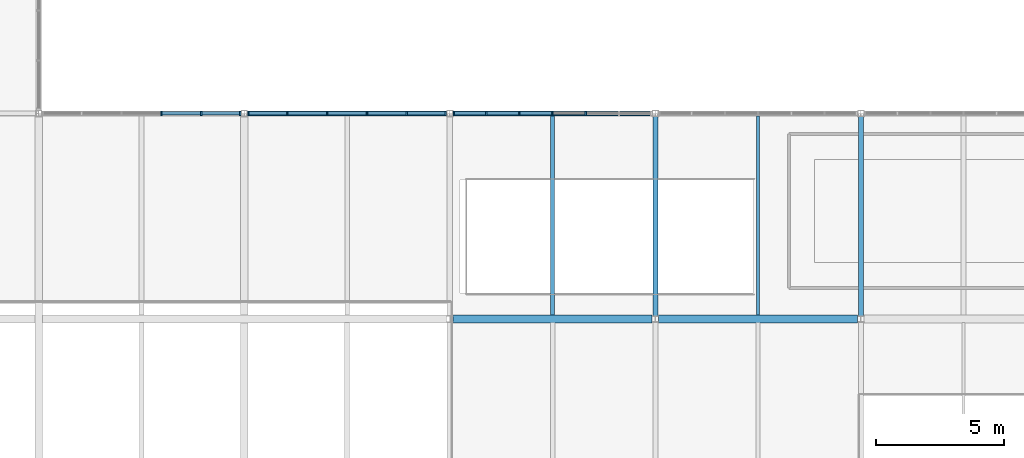
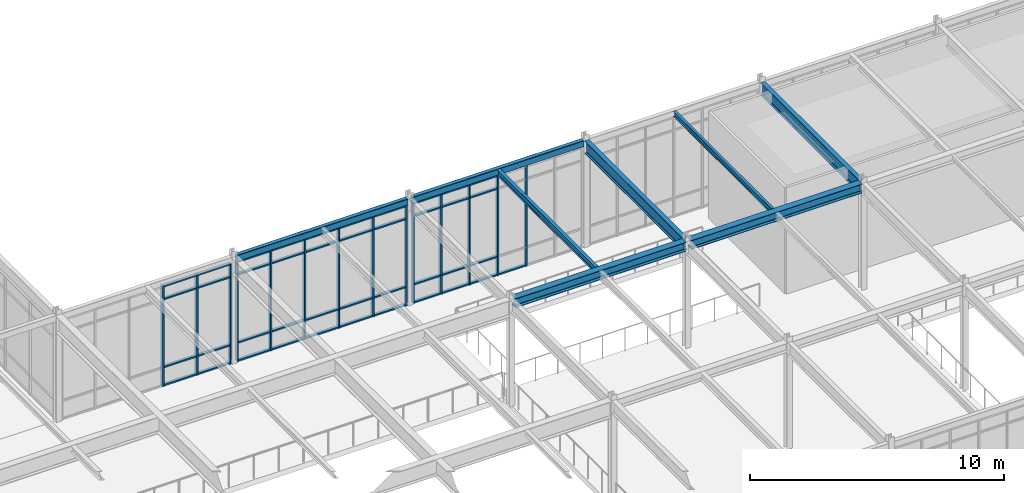
# One storey, part 49 of 184: 55 members, 8 beams, 3 elements without a shape of their own.
"""IFC4 building model written with IfcOpenShell, lengths in metres."""

from ifc_helpers import new_model, si_unit, direction, frame, origin, origin_2d, place, context, subcontext, project, spatial, rectangle, hollow_rectangle, i_section, extrude, material, material_profile, profile_set, type_object, element, aggregate, save


model = new_model("IFC4")

# Units and contexts
model_context = context("Model", 3, precision=1e-05, world=origin(), true_north=direction((0.0, 1.0)))
body_context = subcontext(model_context, "Body", "Model", "MODEL_VIEW")
ifc_project = project(units=[si_unit("LENGTHUNIT", "METRE"), si_unit("AREAUNIT", "SQUARE_METRE"), si_unit("VOLUMEUNIT", "CUBIC_METRE"), si_unit("PLANEANGLEUNIT", "RADIAN"), si_unit("MASSUNIT", "GRAM", prefix="KILO")], contexts=[model_context])

# Site, building, storey
site_placement = place(None, origin())
site = spatial("IfcSite", under=ifc_project, at=site_placement, CompositionType="ELEMENT")
building_placement = place(site_placement, origin())
building = spatial("IfcBuilding", under=site, at=building_placement, Name="Zhaolan Boulevard Law Courts", CompositionType="ELEMENT")
storey_placement = place(building_placement, frame((0.0, 0.0, 5.39990234375)))
storey = spatial("IfcBuildingStorey", under=building, at=storey_placement, Name="L01", CompositionType="ELEMENT", Elevation=5.39990234375)

# Curtain wall, members
ifc_material_1 = material(Name="Thermally broken aluminium and low-E glazing", Category="aluminium")
curtain_wall_type_1 = type_object("IfcCurtainWallType", Name="CURTAIN WALL M1", PredefinedType="USERDEFINED", material=ifc_material_1)
curtain_wall_1_placement = place(storey_placement, origin())
curtain_wall_1 = element("IfcCurtainWall", 1, at=curtain_wall_1_placement, inside=storey, type_object=curtain_wall_type_1, Name="Curtain Wall CW-L01-049", ObjectType="CURTAIN WALL", PredefinedType="USERDEFINED")
ifc_material_2 = material(Name="Fluorocarbon-coated aluminium 6063-T6", Category="aluminium")
ifc_material_profile_1 = material_profile(ifc_material_2, rectangle(XDim=0.179931640625, YDim=0.06494140625, at=origin_2d()), Name="AL65x180")
ifc_profile_set_1 = profile_set([ifc_material_profile_1], Name="Fluorocarbon-coated aluminium 6063-T6")
member_type_1 = type_object("IfcMemberType", Name="CWMULLION 65X180", PredefinedType="MULLION", material=ifc_profile_set_1)
member_1_placement = place(storey_placement, frame((67.840576171875, 30.0, 0.0), z_axis=(0.0, 0.0, 1.0), x_axis=(0.0, -1.0, 0.0)))
member_1 = element("IfcMember", 2, at=member_1_placement, type_object=member_type_1, Name="CW-L01-049 mullion 1", PredefinedType="MULLION", context=body_context, shape_type="SweptSolid", body=[
    extrude(rectangle(XDim=0.179931640625, YDim=0.06494140625, at=origin_2d()), origin(), (0.0, 0.0, 1.0), 4.822998046875),
])
member_2_placement = place(storey_placement, frame((66.32373046875, 30.0, 0.0), z_axis=(0.0, 0.0, 1.0), x_axis=(0.0, -1.0, 0.0)))
member_2 = element("IfcMember", 3, at=member_2_placement, type_object=member_type_1, Name="CW-L01-049 mullion 2", PredefinedType="MULLION", context=body_context, shape_type="SweptSolid", body=[
    extrude(rectangle(XDim=0.179931640625, YDim=0.06494140625, at=origin_2d()), origin(), (0.0, 0.0, 1.0), 4.822998046875),
])
member_3_placement = place(storey_placement, frame((64.774658203125, 30.0, 0.0), z_axis=(0.0, 0.0, 1.0), x_axis=(0.0, -1.0, 0.0)))
member_3 = element("IfcMember", 4, at=member_3_placement, type_object=member_type_1, Name="CW-L01-049 mullion 3", PredefinedType="MULLION", context=body_context, shape_type="SweptSolid", body=[
    extrude(rectangle(XDim=0.179931640625, YDim=0.06494140625, at=origin_2d()), origin(), (0.0, 0.0, 1.0), 4.822998046875),
])

ifc_material_3 = material(Name="Thermally broken aluminium and low-E glazing", Category="aluminium")
curtain_wall_type_2 = type_object("IfcCurtainWallType", Name="CURTAIN WALL M2", PredefinedType="USERDEFINED", material=ifc_material_3)
curtain_wall_2_placement = place(storey_placement, origin())
curtain_wall_2 = element("IfcCurtainWall", 5, at=curtain_wall_2_placement, inside=storey, type_object=curtain_wall_type_2, Name="Curtain Wall CW-L01-050", ObjectType="CURTAIN WALL", PredefinedType="USERDEFINED")
member_4_placement = place(storey_placement, frame((75.840576171875, 30.0, 0.0), z_axis=(0.0, 0.0, 1.0), x_axis=(0.0, -1.0, 0.0)))
member_4 = element("IfcMember", 6, at=member_4_placement, type_object=member_type_1, Name="CW-L01-050 mullion 1", PredefinedType="MULLION", context=body_context, shape_type="SweptSolid", body=[
    extrude(rectangle(XDim=0.179931640625, YDim=0.06494140625, at=origin_2d()), origin(), (0.0, 0.0, 1.0), 4.822998046875),
])
member_5_placement = place(storey_placement, frame((74.32373046875, 30.0, 0.0), z_axis=(0.0, 0.0, 1.0), x_axis=(0.0, -1.0, 0.0)))
member_5 = element("IfcMember", 7, at=member_5_placement, type_object=member_type_1, Name="CW-L01-050 mullion 2", PredefinedType="MULLION", context=body_context, shape_type="SweptSolid", body=[
    extrude(rectangle(XDim=0.179931640625, YDim=0.06494140625, at=origin_2d()), origin(), (0.0, 0.0, 1.0), 4.822998046875),
])
member_6_placement = place(storey_placement, frame((72.774658203125, 30.0, 0.0), z_axis=(0.0, 0.0, 1.0), x_axis=(0.0, -1.0, 0.0)))
member_6 = element("IfcMember", 8, at=member_6_placement, type_object=member_type_1, Name="CW-L01-050 mullion 3", PredefinedType="MULLION", context=body_context, shape_type="SweptSolid", body=[
    extrude(rectangle(XDim=0.179931640625, YDim=0.06494140625, at=origin_2d()), origin(), (0.0, 0.0, 1.0), 4.822998046875),
])
member_7_placement = place(storey_placement, frame((71.225341796875, 30.0, 0.0), z_axis=(0.0, 0.0, 1.0), x_axis=(0.0, -1.0, 0.0)))
member_7 = element("IfcMember", 9, at=member_7_placement, type_object=member_type_1, Name="CW-L01-050 mullion 4", PredefinedType="MULLION", context=body_context, shape_type="SweptSolid", body=[
    extrude(rectangle(XDim=0.179931640625, YDim=0.06494140625, at=origin_2d()), origin(), (0.0, 0.0, 1.0), 4.822998046875),
])
member_8_placement = place(storey_placement, frame((69.67626953125, 30.0, 0.0), z_axis=(0.0, 0.0, 1.0), x_axis=(0.0, -1.0, 0.0)))
member_8 = element("IfcMember", 10, at=member_8_placement, type_object=member_type_1, Name="CW-L01-050 mullion 5", PredefinedType="MULLION", context=body_context, shape_type="SweptSolid", body=[
    extrude(rectangle(XDim=0.179931640625, YDim=0.06494140625, at=origin_2d()), origin(), (0.0, 0.0, 1.0), 4.822998046875),
])
member_9_placement = place(storey_placement, frame((68.159423828125, 30.0, 0.0), z_axis=(0.0, 0.0, 1.0), x_axis=(0.0, -1.0, 0.0)))
member_9 = element("IfcMember", 11, at=member_9_placement, type_object=member_type_1, Name="CW-L01-050 mullion 6", PredefinedType="MULLION", context=body_context, shape_type="SweptSolid", body=[
    extrude(rectangle(XDim=0.179931640625, YDim=0.06494140625, at=origin_2d()), origin(), (0.0, 0.0, 1.0), 4.822998046875),
])

ifc_material_4 = material(Name="Thermally broken aluminium and low-E glazing", Category="aluminium")
curtain_wall_type_3 = type_object("IfcCurtainWallType", Name="CURTAIN WALL M3", PredefinedType="USERDEFINED", material=ifc_material_4)
curtain_wall_3_placement = place(storey_placement, origin())
curtain_wall_3 = element("IfcCurtainWall", 12, at=curtain_wall_3_placement, inside=storey, type_object=curtain_wall_type_3, Name="Curtain Wall CW-L01-051", ObjectType="CURTAIN WALL", PredefinedType="USERDEFINED")
member_10_placement = place(storey_placement, frame((81.291015625, 30.0, 0.0), z_axis=(0.0, 0.0, 1.0), x_axis=(0.0, -1.0, 0.0)))
member_10 = element("IfcMember", 13, at=member_10_placement, type_object=member_type_1, Name="CW-L01-051 mullion 3", PredefinedType="MULLION", context=body_context, shape_type="SweptSolid", body=[
    extrude(rectangle(XDim=0.179931640625, YDim=0.06494140625, at=origin_2d()), origin(), (0.0, 0.0, 1.0), 4.822998046875),
])
member_11_placement = place(storey_placement, frame((80.0, 30.0, 0.0), z_axis=(0.0, 0.0, 1.0), x_axis=(0.0, -1.0, 0.0)))
member_11 = element("IfcMember", 14, at=member_11_placement, type_object=member_type_1, Name="CW-L01-051 mullion 4", PredefinedType="MULLION", context=body_context, shape_type="SweptSolid", body=[
    extrude(rectangle(XDim=0.179931640625, YDim=0.06494140625, at=origin_2d()), origin(), (0.0, 0.0, 1.0), 4.822998046875),
])
member_12_placement = place(storey_placement, frame((78.708984375, 30.0, 0.0), z_axis=(0.0, 0.0, 1.0), x_axis=(0.0, -1.0, 0.0)))
member_12 = element("IfcMember", 15, at=member_12_placement, type_object=member_type_1, Name="CW-L01-051 mullion 5", PredefinedType="MULLION", context=body_context, shape_type="SweptSolid", body=[
    extrude(rectangle(XDim=0.179931640625, YDim=0.06494140625, at=origin_2d()), origin(), (0.0, 0.0, 1.0), 4.822998046875),
])
member_13_placement = place(storey_placement, frame((77.41796875, 30.0, 0.0), z_axis=(0.0, 0.0, 1.0), x_axis=(0.0, -1.0, 0.0)))
member_13 = element("IfcMember", 16, at=member_13_placement, type_object=member_type_1, Name="CW-L01-051 mullion 6", PredefinedType="MULLION", context=body_context, shape_type="SweptSolid", body=[
    extrude(rectangle(XDim=0.179931640625, YDim=0.06494140625, at=origin_2d()), origin(), (0.0, 0.0, 1.0), 4.822998046875),
])
member_14_placement = place(storey_placement, frame((76.159423828125, 30.0, 0.0), z_axis=(0.0, 0.0, 1.0), x_axis=(0.0, -1.0, 0.0)))
member_14 = element("IfcMember", 17, at=member_14_placement, type_object=member_type_1, Name="CW-L01-051 mullion 7", PredefinedType="MULLION", context=body_context, shape_type="SweptSolid", body=[
    extrude(rectangle(XDim=0.179931640625, YDim=0.06494140625, at=origin_2d()), origin(), (0.0, 0.0, 1.0), 4.822998046875),
])

# Member
ifc_material_5 = material(Name="Fluorocarbon-coated aluminium 6063-T6", Category="aluminium")
ifc_material_profile_2 = material_profile(ifc_material_5, rectangle(XDim=0.139892578125, YDim=0.06494140625, at=origin_2d()), Name="AL65x140")
ifc_profile_set_2 = profile_set([ifc_material_profile_2], Name="Fluorocarbon-coated aluminium 6063-T6")
member_type_2 = type_object("IfcMemberType", Name="CWTRANSOM 65X140", PredefinedType="USERDEFINED", material=ifc_profile_set_2)
member_15_placement = place(storey_placement, frame((67.80810546875, 30.0, 0.03271484375), z_axis=(-1.0, 0.0, 0.0), x_axis=(0.0, -1.0, 0.0)))
member_15 = element("IfcMember", 18, at=member_15_placement, type_object=member_type_2, Name="CW-L01-049 transom 1.1", ObjectType="TRANSOM", PredefinedType="USERDEFINED", context=body_context, shape_type="SweptSolid", body=[
    extrude(rectangle(XDim=0.139892578125, YDim=0.06494140625, at=origin_2d()), origin(), (0.0, 0.0, 1.0), 1.451904296875),
])

member_16_placement = place(storey_placement, frame((67.80810546875, 30.0, 0.900146484375), z_axis=(-1.0, 0.0, 0.0), x_axis=(0.0, -1.0, 0.0)))
member_16 = element("IfcMember", 19, at=member_16_placement, type_object=member_type_2, Name="CW-L01-049 transom 1.2", ObjectType="TRANSOM", PredefinedType="USERDEFINED", context=body_context, shape_type="SweptSolid", body=[
    extrude(rectangle(XDim=0.139892578125, YDim=0.06494140625, at=origin_2d()), origin(), (0.0, 0.0, 1.0), 1.451904296875),
])

member_17_placement = place(storey_placement, frame((67.80810546875, 30.0, 4.173095703125), z_axis=(-1.0, 0.0, 0.0), x_axis=(0.0, -1.0, 0.0)))
member_17 = element("IfcMember", 20, at=member_17_placement, type_object=member_type_2, Name="CW-L01-049 transom 1.3", ObjectType="TRANSOM", PredefinedType="USERDEFINED", context=body_context, shape_type="SweptSolid", body=[
    extrude(rectangle(XDim=0.139892578125, YDim=0.06494140625, at=origin_2d()), origin(), (0.0, 0.0, 1.0), 1.451904296875),
])

member_18_placement = place(storey_placement, frame((67.80810546875, 30.0, 4.79052734375), z_axis=(-1.0, 0.0, 0.0), x_axis=(0.0, -1.0, 0.0)))
member_18 = element("IfcMember", 21, at=member_18_placement, type_object=member_type_2, Name="CW-L01-049 transom 1.4", ObjectType="TRANSOM", PredefinedType="USERDEFINED", context=body_context, shape_type="SweptSolid", body=[
    extrude(rectangle(XDim=0.139892578125, YDim=0.06494140625, at=origin_2d()), origin(), (0.0, 0.0, 1.0), 1.451904296875),
])

member_19_placement = place(storey_placement, frame((66.291259765625, 30.0, 0.03271484375), z_axis=(-1.0, 0.0, 0.0), x_axis=(0.0, -1.0, 0.0)))
member_19 = element("IfcMember", 22, at=member_19_placement, type_object=member_type_2, Name="CW-L01-049 transom 2.1", ObjectType="TRANSOM", PredefinedType="USERDEFINED", context=body_context, shape_type="SweptSolid", body=[
    extrude(rectangle(XDim=0.139892578125, YDim=0.06494140625, at=origin_2d()), origin(), (0.0, 0.0, 1.0), 1.484130859375),
])

member_20_placement = place(storey_placement, frame((66.291259765625, 30.0, 0.900146484375), z_axis=(-1.0, 0.0, 0.0), x_axis=(0.0, -1.0, 0.0)))
member_20 = element("IfcMember", 23, at=member_20_placement, type_object=member_type_2, Name="CW-L01-049 transom 2.2", ObjectType="TRANSOM", PredefinedType="USERDEFINED", context=body_context, shape_type="SweptSolid", body=[
    extrude(rectangle(XDim=0.139892578125, YDim=0.06494140625, at=origin_2d()), origin(), (0.0, 0.0, 1.0), 1.484130859375),
])

member_21_placement = place(storey_placement, frame((66.291259765625, 30.0, 4.173095703125), z_axis=(-1.0, 0.0, 0.0), x_axis=(0.0, -1.0, 0.0)))
member_21 = element("IfcMember", 24, at=member_21_placement, type_object=member_type_2, Name="CW-L01-049 transom 2.3", ObjectType="TRANSOM", PredefinedType="USERDEFINED", context=body_context, shape_type="SweptSolid", body=[
    extrude(rectangle(XDim=0.139892578125, YDim=0.06494140625, at=origin_2d()), origin(), (0.0, 0.0, 1.0), 1.484130859375),
])

member_22_placement = place(storey_placement, frame((66.291259765625, 30.0, 4.79052734375), z_axis=(-1.0, 0.0, 0.0), x_axis=(0.0, -1.0, 0.0)))
member_22 = element("IfcMember", 25, at=member_22_placement, type_object=member_type_2, Name="CW-L01-049 transom 2.4", ObjectType="TRANSOM", PredefinedType="USERDEFINED", context=body_context, shape_type="SweptSolid", body=[
    extrude(rectangle(XDim=0.139892578125, YDim=0.06494140625, at=origin_2d()), origin(), (0.0, 0.0, 1.0), 1.484130859375),
])

aggregate(curtain_wall_1, [member_1, member_2, member_3, member_15, member_16, member_17, member_18, member_19, member_20, member_21, member_22])

member_23_placement = place(storey_placement, frame((75.80810546875, 30.0, 0.03271484375), z_axis=(-1.0, 0.0, 0.0), x_axis=(0.0, -1.0, 0.0)))
member_23 = element("IfcMember", 26, at=member_23_placement, type_object=member_type_2, Name="CW-L01-050 transom 1.1", ObjectType="TRANSOM", PredefinedType="USERDEFINED", context=body_context, shape_type="SweptSolid", body=[
    extrude(rectangle(XDim=0.139892578125, YDim=0.06494140625, at=origin_2d()), origin(), (0.0, 0.0, 1.0), 1.451904296875),
])

member_24_placement = place(storey_placement, frame((75.80810546875, 30.0, 0.900146484375), z_axis=(-1.0, 0.0, 0.0), x_axis=(0.0, -1.0, 0.0)))
member_24 = element("IfcMember", 27, at=member_24_placement, type_object=member_type_2, Name="CW-L01-050 transom 1.2", ObjectType="TRANSOM", PredefinedType="USERDEFINED", context=body_context, shape_type="SweptSolid", body=[
    extrude(rectangle(XDim=0.139892578125, YDim=0.06494140625, at=origin_2d()), origin(), (0.0, 0.0, 1.0), 1.451904296875),
])

member_25_placement = place(storey_placement, frame((75.80810546875, 30.0, 4.173095703125), z_axis=(-1.0, 0.0, 0.0), x_axis=(0.0, -1.0, 0.0)))
member_25 = element("IfcMember", 28, at=member_25_placement, type_object=member_type_2, Name="CW-L01-050 transom 1.3", ObjectType="TRANSOM", PredefinedType="USERDEFINED", context=body_context, shape_type="SweptSolid", body=[
    extrude(rectangle(XDim=0.139892578125, YDim=0.06494140625, at=origin_2d()), origin(), (0.0, 0.0, 1.0), 1.451904296875),
])

member_26_placement = place(storey_placement, frame((75.80810546875, 30.0, 4.79052734375), z_axis=(-1.0, 0.0, 0.0), x_axis=(0.0, -1.0, 0.0)))
member_26 = element("IfcMember", 29, at=member_26_placement, type_object=member_type_2, Name="CW-L01-050 transom 1.4", ObjectType="TRANSOM", PredefinedType="USERDEFINED", context=body_context, shape_type="SweptSolid", body=[
    extrude(rectangle(XDim=0.139892578125, YDim=0.06494140625, at=origin_2d()), origin(), (0.0, 0.0, 1.0), 1.451904296875),
])

member_27_placement = place(storey_placement, frame((74.291259765625, 30.0, 0.03271484375), z_axis=(-1.0, 0.0, 0.0), x_axis=(0.0, -1.0, 0.0)))
member_27 = element("IfcMember", 30, at=member_27_placement, type_object=member_type_2, Name="CW-L01-050 transom 2.1", ObjectType="TRANSOM", PredefinedType="USERDEFINED", context=body_context, shape_type="SweptSolid", body=[
    extrude(rectangle(XDim=0.139892578125, YDim=0.06494140625, at=origin_2d()), origin(), (0.0, 0.0, 1.0), 1.484130859375),
])

member_28_placement = place(storey_placement, frame((74.291259765625, 30.0, 0.900146484375), z_axis=(-1.0, 0.0, 0.0), x_axis=(0.0, -1.0, 0.0)))
member_28 = element("IfcMember", 31, at=member_28_placement, type_object=member_type_2, Name="CW-L01-050 transom 2.2", ObjectType="TRANSOM", PredefinedType="USERDEFINED", context=body_context, shape_type="SweptSolid", body=[
    extrude(rectangle(XDim=0.139892578125, YDim=0.06494140625, at=origin_2d()), origin(), (0.0, 0.0, 1.0), 1.484130859375),
])

member_29_placement = place(storey_placement, frame((74.291259765625, 30.0, 4.173095703125), z_axis=(-1.0, 0.0, 0.0), x_axis=(0.0, -1.0, 0.0)))
member_29 = element("IfcMember", 32, at=member_29_placement, type_object=member_type_2, Name="CW-L01-050 transom 2.3", ObjectType="TRANSOM", PredefinedType="USERDEFINED", context=body_context, shape_type="SweptSolid", body=[
    extrude(rectangle(XDim=0.139892578125, YDim=0.06494140625, at=origin_2d()), origin(), (0.0, 0.0, 1.0), 1.484130859375),
])

member_30_placement = place(storey_placement, frame((74.291259765625, 30.0, 4.79052734375), z_axis=(-1.0, 0.0, 0.0), x_axis=(0.0, -1.0, 0.0)))
member_30 = element("IfcMember", 33, at=member_30_placement, type_object=member_type_2, Name="CW-L01-050 transom 2.4", ObjectType="TRANSOM", PredefinedType="USERDEFINED", context=body_context, shape_type="SweptSolid", body=[
    extrude(rectangle(XDim=0.139892578125, YDim=0.06494140625, at=origin_2d()), origin(), (0.0, 0.0, 1.0), 1.484130859375),
])

member_31_placement = place(storey_placement, frame((72.7421875, 30.0, 0.03271484375), z_axis=(-1.0, 0.0, 0.0), x_axis=(0.0, -1.0, 0.0)))
member_31 = element("IfcMember", 34, at=member_31_placement, type_object=member_type_2, Name="CW-L01-050 transom 3.1", ObjectType="TRANSOM", PredefinedType="USERDEFINED", context=body_context, shape_type="SweptSolid", body=[
    extrude(rectangle(XDim=0.139892578125, YDim=0.06494140625, at=origin_2d()), origin(), (0.0, 0.0, 1.0), 1.484375),
])

member_32_placement = place(storey_placement, frame((72.7421875, 30.0, 0.900146484375), z_axis=(-1.0, 0.0, 0.0), x_axis=(0.0, -1.0, 0.0)))
member_32 = element("IfcMember", 35, at=member_32_placement, type_object=member_type_2, Name="CW-L01-050 transom 3.2", ObjectType="TRANSOM", PredefinedType="USERDEFINED", context=body_context, shape_type="SweptSolid", body=[
    extrude(rectangle(XDim=0.139892578125, YDim=0.06494140625, at=origin_2d()), origin(), (0.0, 0.0, 1.0), 1.484375),
])

member_33_placement = place(storey_placement, frame((72.7421875, 30.0, 4.173095703125), z_axis=(-1.0, 0.0, 0.0), x_axis=(0.0, -1.0, 0.0)))
member_33 = element("IfcMember", 36, at=member_33_placement, type_object=member_type_2, Name="CW-L01-050 transom 3.3", ObjectType="TRANSOM", PredefinedType="USERDEFINED", context=body_context, shape_type="SweptSolid", body=[
    extrude(rectangle(XDim=0.139892578125, YDim=0.06494140625, at=origin_2d()), origin(), (0.0, 0.0, 1.0), 1.484375),
])

member_34_placement = place(storey_placement, frame((72.7421875, 30.0, 4.79052734375), z_axis=(-1.0, 0.0, 0.0), x_axis=(0.0, -1.0, 0.0)))
member_34 = element("IfcMember", 37, at=member_34_placement, type_object=member_type_2, Name="CW-L01-050 transom 3.4", ObjectType="TRANSOM", PredefinedType="USERDEFINED", context=body_context, shape_type="SweptSolid", body=[
    extrude(rectangle(XDim=0.139892578125, YDim=0.06494140625, at=origin_2d()), origin(), (0.0, 0.0, 1.0), 1.484375),
])

member_35_placement = place(storey_placement, frame((71.19287109375, 30.0, 0.03271484375), z_axis=(-1.0, 0.0, 0.0), x_axis=(0.0, -1.0, 0.0)))
member_35 = element("IfcMember", 38, at=member_35_placement, type_object=member_type_2, Name="CW-L01-050 transom 4.1", ObjectType="TRANSOM", PredefinedType="USERDEFINED", context=body_context, shape_type="SweptSolid", body=[
    extrude(rectangle(XDim=0.139892578125, YDim=0.06494140625, at=origin_2d()), origin(), (0.0, 0.0, 1.0), 1.484130859375),
])

member_36_placement = place(storey_placement, frame((71.19287109375, 30.0, 0.900146484375), z_axis=(-1.0, 0.0, 0.0), x_axis=(0.0, -1.0, 0.0)))
member_36 = element("IfcMember", 39, at=member_36_placement, type_object=member_type_2, Name="CW-L01-050 transom 4.2", ObjectType="TRANSOM", PredefinedType="USERDEFINED", context=body_context, shape_type="SweptSolid", body=[
    extrude(rectangle(XDim=0.139892578125, YDim=0.06494140625, at=origin_2d()), origin(), (0.0, 0.0, 1.0), 1.484130859375),
])

member_37_placement = place(storey_placement, frame((71.19287109375, 30.0, 4.173095703125), z_axis=(-1.0, 0.0, 0.0), x_axis=(0.0, -1.0, 0.0)))
member_37 = element("IfcMember", 40, at=member_37_placement, type_object=member_type_2, Name="CW-L01-050 transom 4.3", ObjectType="TRANSOM", PredefinedType="USERDEFINED", context=body_context, shape_type="SweptSolid", body=[
    extrude(rectangle(XDim=0.139892578125, YDim=0.06494140625, at=origin_2d()), origin(), (0.0, 0.0, 1.0), 1.484130859375),
])

member_38_placement = place(storey_placement, frame((71.19287109375, 30.0, 4.79052734375), z_axis=(-1.0, 0.0, 0.0), x_axis=(0.0, -1.0, 0.0)))
member_38 = element("IfcMember", 41, at=member_38_placement, type_object=member_type_2, Name="CW-L01-050 transom 4.4", ObjectType="TRANSOM", PredefinedType="USERDEFINED", context=body_context, shape_type="SweptSolid", body=[
    extrude(rectangle(XDim=0.139892578125, YDim=0.06494140625, at=origin_2d()), origin(), (0.0, 0.0, 1.0), 1.484130859375),
])

member_39_placement = place(storey_placement, frame((69.643798828125, 30.0, 0.03271484375), z_axis=(-1.0, 0.0, 0.0), x_axis=(0.0, -1.0, 0.0)))
member_39 = element("IfcMember", 42, at=member_39_placement, type_object=member_type_2, Name="CW-L01-050 transom 5.1", ObjectType="TRANSOM", PredefinedType="USERDEFINED", context=body_context, shape_type="SweptSolid", body=[
    extrude(rectangle(XDim=0.139892578125, YDim=0.06494140625, at=origin_2d()), origin(), (0.0, 0.0, 1.0), 1.451904296875),
])

member_40_placement = place(storey_placement, frame((69.643798828125, 30.0, 0.900146484375), z_axis=(-1.0, 0.0, 0.0), x_axis=(0.0, -1.0, 0.0)))
member_40 = element("IfcMember", 43, at=member_40_placement, type_object=member_type_2, Name="CW-L01-050 transom 5.2", ObjectType="TRANSOM", PredefinedType="USERDEFINED", context=body_context, shape_type="SweptSolid", body=[
    extrude(rectangle(XDim=0.139892578125, YDim=0.06494140625, at=origin_2d()), origin(), (0.0, 0.0, 1.0), 1.451904296875),
])

member_41_placement = place(storey_placement, frame((69.643798828125, 30.0, 4.173095703125), z_axis=(-1.0, 0.0, 0.0), x_axis=(0.0, -1.0, 0.0)))
member_41 = element("IfcMember", 44, at=member_41_placement, type_object=member_type_2, Name="CW-L01-050 transom 5.3", ObjectType="TRANSOM", PredefinedType="USERDEFINED", context=body_context, shape_type="SweptSolid", body=[
    extrude(rectangle(XDim=0.139892578125, YDim=0.06494140625, at=origin_2d()), origin(), (0.0, 0.0, 1.0), 1.451904296875),
])

member_42_placement = place(storey_placement, frame((69.643798828125, 30.0, 4.79052734375), z_axis=(-1.0, 0.0, 0.0), x_axis=(0.0, -1.0, 0.0)))
member_42 = element("IfcMember", 45, at=member_42_placement, type_object=member_type_2, Name="CW-L01-050 transom 5.4", ObjectType="TRANSOM", PredefinedType="USERDEFINED", context=body_context, shape_type="SweptSolid", body=[
    extrude(rectangle(XDim=0.139892578125, YDim=0.06494140625, at=origin_2d()), origin(), (0.0, 0.0, 1.0), 1.451904296875),
])

aggregate(curtain_wall_2, [member_4, member_5, member_6, member_7, member_8, member_9, member_23, member_24, member_25, member_26, member_27, member_28, member_29, member_30, member_31, member_32, member_33, member_34, member_35, member_36, member_37, member_38, member_39, member_40, member_41, member_42])

member_43_placement = place(storey_placement, frame((81.258544921875, 30.0, 0.03271484375), z_axis=(-1.0, 0.0, 0.0), x_axis=(0.0, -1.0, 0.0)))
member_43 = element("IfcMember", 46, at=member_43_placement, type_object=member_type_2, Name="CW-L01-051 transom 3.1", ObjectType="TRANSOM", PredefinedType="USERDEFINED", context=body_context, shape_type="SweptSolid", body=[
    extrude(rectangle(XDim=0.139892578125, YDim=0.06494140625, at=origin_2d()), origin(), (0.0, 0.0, 1.0), 1.22607421875),
])

member_44_placement = place(storey_placement, frame((79.967529296875, 30.0, 0.03271484375), z_axis=(-1.0, 0.0, 0.0), x_axis=(0.0, -1.0, 0.0)))
member_44 = element("IfcMember", 47, at=member_44_placement, type_object=member_type_2, Name="CW-L01-051 transom 4.1", ObjectType="TRANSOM", PredefinedType="USERDEFINED", context=body_context, shape_type="SweptSolid", body=[
    extrude(rectangle(XDim=0.139892578125, YDim=0.06494140625, at=origin_2d()), origin(), (0.0, 0.0, 1.0), 1.22607421875),
])

member_45_placement = place(storey_placement, frame((79.967529296875, 30.0, 0.900146484375), z_axis=(-1.0, 0.0, 0.0), x_axis=(0.0, -1.0, 0.0)))
member_45 = element("IfcMember", 48, at=member_45_placement, type_object=member_type_2, Name="CW-L01-051 transom 4.2", ObjectType="TRANSOM", PredefinedType="USERDEFINED", context=body_context, shape_type="SweptSolid", body=[
    extrude(rectangle(XDim=0.139892578125, YDim=0.06494140625, at=origin_2d()), origin(), (0.0, 0.0, 1.0), 1.22607421875),
])

member_46_placement = place(storey_placement, frame((79.967529296875, 30.0, 4.173095703125), z_axis=(-1.0, 0.0, 0.0), x_axis=(0.0, -1.0, 0.0)))
member_46 = element("IfcMember", 49, at=member_46_placement, type_object=member_type_2, Name="CW-L01-051 transom 4.3", ObjectType="TRANSOM", PredefinedType="USERDEFINED", context=body_context, shape_type="SweptSolid", body=[
    extrude(rectangle(XDim=0.139892578125, YDim=0.06494140625, at=origin_2d()), origin(), (0.0, 0.0, 1.0), 1.22607421875),
])

member_47_placement = place(storey_placement, frame((79.967529296875, 30.0, 4.79052734375), z_axis=(-1.0, 0.0, 0.0), x_axis=(0.0, -1.0, 0.0)))
member_47 = element("IfcMember", 50, at=member_47_placement, type_object=member_type_2, Name="CW-L01-051 transom 4.4", ObjectType="TRANSOM", PredefinedType="USERDEFINED", context=body_context, shape_type="SweptSolid", body=[
    extrude(rectangle(XDim=0.139892578125, YDim=0.06494140625, at=origin_2d()), origin(), (0.0, 0.0, 1.0), 1.22607421875),
])

member_48_placement = place(storey_placement, frame((78.676513671875, 30.0, 0.03271484375), z_axis=(-1.0, 0.0, 0.0), x_axis=(0.0, -1.0, 0.0)))
member_48 = element("IfcMember", 51, at=member_48_placement, type_object=member_type_2, Name="CW-L01-051 transom 5.1", ObjectType="TRANSOM", PredefinedType="USERDEFINED", context=body_context, shape_type="SweptSolid", body=[
    extrude(rectangle(XDim=0.139892578125, YDim=0.06494140625, at=origin_2d()), origin(), (0.0, 0.0, 1.0), 1.22607421875),
])

member_49_placement = place(storey_placement, frame((78.676513671875, 30.0, 0.900146484375), z_axis=(-1.0, 0.0, 0.0), x_axis=(0.0, -1.0, 0.0)))
member_49 = element("IfcMember", 52, at=member_49_placement, type_object=member_type_2, Name="CW-L01-051 transom 5.2", ObjectType="TRANSOM", PredefinedType="USERDEFINED", context=body_context, shape_type="SweptSolid", body=[
    extrude(rectangle(XDim=0.139892578125, YDim=0.06494140625, at=origin_2d()), origin(), (0.0, 0.0, 1.0), 1.22607421875),
])

member_50_placement = place(storey_placement, frame((78.676513671875, 30.0, 4.173095703125), z_axis=(-1.0, 0.0, 0.0), x_axis=(0.0, -1.0, 0.0)))
member_50 = element("IfcMember", 53, at=member_50_placement, type_object=member_type_2, Name="CW-L01-051 transom 5.3", ObjectType="TRANSOM", PredefinedType="USERDEFINED", context=body_context, shape_type="SweptSolid", body=[
    extrude(rectangle(XDim=0.139892578125, YDim=0.06494140625, at=origin_2d()), origin(), (0.0, 0.0, 1.0), 1.22607421875),
])

member_51_placement = place(storey_placement, frame((78.676513671875, 30.0, 4.79052734375), z_axis=(-1.0, 0.0, 0.0), x_axis=(0.0, -1.0, 0.0)))
member_51 = element("IfcMember", 54, at=member_51_placement, type_object=member_type_2, Name="CW-L01-051 transom 5.4", ObjectType="TRANSOM", PredefinedType="USERDEFINED", context=body_context, shape_type="SweptSolid", body=[
    extrude(rectangle(XDim=0.139892578125, YDim=0.06494140625, at=origin_2d()), origin(), (0.0, 0.0, 1.0), 1.22607421875),
])

member_52_placement = place(storey_placement, frame((77.385498046875, 30.0, 0.03271484375), z_axis=(-1.0, 0.0, 0.0), x_axis=(0.0, -1.0, 0.0)))
member_52 = element("IfcMember", 55, at=member_52_placement, type_object=member_type_2, Name="CW-L01-051 transom 6.1", ObjectType="TRANSOM", PredefinedType="USERDEFINED", context=body_context, shape_type="SweptSolid", body=[
    extrude(rectangle(XDim=0.139892578125, YDim=0.06494140625, at=origin_2d()), origin(), (0.0, 0.0, 1.0), 1.193603515625),
])

member_53_placement = place(storey_placement, frame((77.385498046875, 30.0, 0.900146484375), z_axis=(-1.0, 0.0, 0.0), x_axis=(0.0, -1.0, 0.0)))
member_53 = element("IfcMember", 56, at=member_53_placement, type_object=member_type_2, Name="CW-L01-051 transom 6.2", ObjectType="TRANSOM", PredefinedType="USERDEFINED", context=body_context, shape_type="SweptSolid", body=[
    extrude(rectangle(XDim=0.139892578125, YDim=0.06494140625, at=origin_2d()), origin(), (0.0, 0.0, 1.0), 1.193603515625),
])

member_54_placement = place(storey_placement, frame((77.385498046875, 30.0, 4.173095703125), z_axis=(-1.0, 0.0, 0.0), x_axis=(0.0, -1.0, 0.0)))
member_54 = element("IfcMember", 57, at=member_54_placement, type_object=member_type_2, Name="CW-L01-051 transom 6.3", ObjectType="TRANSOM", PredefinedType="USERDEFINED", context=body_context, shape_type="SweptSolid", body=[
    extrude(rectangle(XDim=0.139892578125, YDim=0.06494140625, at=origin_2d()), origin(), (0.0, 0.0, 1.0), 1.193603515625),
])

member_55_placement = place(storey_placement, frame((77.385498046875, 30.0, 4.79052734375), z_axis=(-1.0, 0.0, 0.0), x_axis=(0.0, -1.0, 0.0)))
member_55 = element("IfcMember", 58, at=member_55_placement, type_object=member_type_2, Name="CW-L01-051 transom 6.4", ObjectType="TRANSOM", PredefinedType="USERDEFINED", context=body_context, shape_type="SweptSolid", body=[
    extrude(rectangle(XDim=0.139892578125, YDim=0.06494140625, at=origin_2d()), origin(), (0.0, 0.0, 1.0), 1.193603515625),
])

aggregate(curtain_wall_3, [member_10, member_11, member_12, member_13, member_14, member_43, member_44, member_45, member_46, member_47, member_48, member_49, member_50, member_51, member_52, member_53, member_54, member_55])

# Beams
ifc_material_6 = material(Name="Structural steel Q355B", Category="steel")
ifc_material_profile_3 = material_profile(ifc_material_6, i_section(OverallWidth=0.300048828125, OverallDepth=0.43994140625, WebThickness=0.010986328125, FlangeThickness=0.01806640625, FilletRadius=0.02001953125, at=origin_2d()), Name="HM440x300")
ifc_profile_set_3 = profile_set([ifc_material_profile_3], Name="Structural steel Q355B")
beam_type_1 = type_object("IfcBeamType", Name="GIRDER HM440", PredefinedType="BEAM", material=ifc_profile_set_3)
for number, where, z_axis, x_axis, name in (
    (59, (76.12109375, 22.0, 4.918212890625), (1.0, 0.0, 0.0), (0.0, 1.0, 0.0), "Beam BX-L02-10-11-D"),
    (60, (84.12109375, 22.0, 4.918212890625), (1.0, 0.0, 0.0), (0.0, 1.0, 0.0), "Beam BX-L02-11-12-D"),
):
    element("IfcBeam", number, at=place(storey_placement, frame(where, z_axis=z_axis, x_axis=x_axis)), inside=storey, type_object=beam_type_1, Name=name, PredefinedType="BEAM", context=body_context, shape_type="SweptSolid", body=[
        extrude(i_section(OverallWidth=0.300048828125, OverallDepth=0.43994140625, WebThickness=0.010986328125, FlangeThickness=0.01806640625, FilletRadius=0.02001953125, at=origin_2d()), origin(), (0.0, 0.0, 1.0), 7.7578125),
    ])
ifc_material_7 = material(Name="Structural steel Q355B", Category="steel")
ifc_material_profile_4 = material_profile(ifc_material_7, i_section(OverallWidth=0.199951171875, OverallDepth=0.60009765625, WebThickness=0.010986328125, FlangeThickness=0.01708984375, FilletRadius=0.02001953125, at=origin_2d()), Name="HN600x200")
ifc_profile_set_4 = profile_set([ifc_material_profile_4], Name="Structural steel Q355B")
beam_type_2 = type_object("IfcBeamType", Name="GIRDER HN600", PredefinedType="BEAM", material=ifc_profile_set_4)
for number, where, z_axis, x_axis, name in (
    (61, (84.0, 22.12109375, 4.838134765625), (0.0, 1.0, 0.0), (-1.0, 0.0, 0.0), "Beam BY-L02-11-D-E"),
    (62, (92.0, 22.12109375, 4.838134765625), (0.0, 1.0, 0.0), (-1.0, 0.0, 0.0), "Beam BY-L02-12-D-E"),
):
    element("IfcBeam", number, at=place(storey_placement, frame(where, z_axis=z_axis, x_axis=x_axis)), inside=storey, type_object=beam_type_2, Name=name, PredefinedType="BEAM", context=body_context, shape_type="SweptSolid", body=[
        extrude(i_section(OverallWidth=0.199951171875, OverallDepth=0.60009765625, WebThickness=0.010986328125, FlangeThickness=0.01708984375, FilletRadius=0.02001953125, at=origin_2d()), origin(), (0.0, 0.0, 1.0), 7.7578125),
    ])
ifc_material_8 = material(Name="Structural steel Q355B", Category="steel")
ifc_material_profile_5 = material_profile(ifc_material_8, i_section(OverallWidth=0.125, OverallDepth=0.25, WebThickness=0.006103515625, FlangeThickness=0.009033203125, FilletRadius=0.010009765625, at=origin_2d()), Name="HN250x125")
ifc_profile_set_5 = profile_set([ifc_material_profile_5], Name="Structural steel Q355B")
beam_type_3 = type_object("IfcBeamType", Name="JOIST HN250", PredefinedType="JOIST", material=ifc_profile_set_5)
beam_1_placement = place(storey_placement, frame((88.0, 22.14599609375, 5.01318359375), z_axis=(0.0, 1.0, 0.0), x_axis=(-1.0, 0.0, 0.0)))
element("IfcBeam", 63, at=beam_1_placement, inside=storey, type_object=beam_type_3, Name="Composite Joist J-L02-11D", PredefinedType="JOIST", context=body_context, shape_type="SweptSolid", body=[
    extrude(i_section(OverallWidth=0.125, OverallDepth=0.25, WebThickness=0.006103515625, FlangeThickness=0.009033203125, FilletRadius=0.010009765625, at=origin_2d()), origin(), (0.0, 0.0, 1.0), 7.758056640625),
])
ifc_material_9 = material(Name="Structural steel Q355B", Category="steel")
ifc_material_profile_6 = material_profile(ifc_material_9, i_section(OverallWidth=0.14990234375, OverallDepth=0.300048828125, WebThickness=0.006591796875, FlangeThickness=0.009033203125, FilletRadius=0.010986328125, at=origin_2d()), Name="HN300x150")
ifc_profile_set_6 = profile_set([ifc_material_profile_6], Name="Structural steel Q355B")
beam_type_4 = type_object("IfcBeamType", Name="JOIST HN300", PredefinedType="JOIST", material=ifc_profile_set_6)
beam_2_placement = place(storey_placement, frame((80.0, 22.14599609375, 4.988037109375), z_axis=(0.0, 1.0, 0.0), x_axis=(-1.0, 0.0, 0.0)))
element("IfcBeam", 64, at=beam_2_placement, inside=storey, type_object=beam_type_4, Name="Composite Joist J-L02-10D", PredefinedType="JOIST", context=body_context, shape_type="SweptSolid", body=[
    extrude(i_section(OverallWidth=0.14990234375, OverallDepth=0.300048828125, WebThickness=0.006591796875, FlangeThickness=0.009033203125, FilletRadius=0.010986328125, at=origin_2d()), origin(), (0.0, 0.0, 1.0), 7.758056640625),
])
ifc_material_10 = material(Name="Structural steel Q355B", Category="steel")
ifc_material_profile_7 = material_profile(ifc_material_10, hollow_rectangle(XDim=0.199951171875, YDim=0.300048828125, WallThickness=0.011962890625, InnerFilletRadius=0.011962890625, OuterFilletRadius=0.02392578125, at=origin_2d()), Name="HSS300x200x12")
ifc_profile_set_7 = profile_set([ifc_material_profile_7], Name="Structural steel Q355B")
beam_type_5 = type_object("IfcBeamType", Name="SPANDREL HSS300", PredefinedType="SPANDREL", material=ifc_profile_set_7)
for number, where, z_axis, x_axis, name in (
    (65, (68.12109375, 30.0, 4.988037109375), (1.0, 0.0, 0.0), (0.0, 1.0, 0.0), "Beam BX-L02-9-10-E"),
    (66, (76.12109375, 30.0, 4.988037109375), (1.0, 0.0, 0.0), (0.0, 1.0, 0.0), "Beam BX-L02-10-11-E"),
):
    element("IfcBeam", number, at=place(storey_placement, frame(where, z_axis=z_axis, x_axis=x_axis)), inside=storey, type_object=beam_type_5, Name=name, PredefinedType="SPANDREL", context=body_context, shape_type="SweptSolid", body=[
        extrude(hollow_rectangle(XDim=0.199951171875, YDim=0.300048828125, WallThickness=0.011962890625, InnerFilletRadius=0.011962890625, OuterFilletRadius=0.02392578125, at=origin_2d()), origin(), (0.0, 0.0, 1.0), 7.7578125),
    ])

save(model, "model.ifc")
